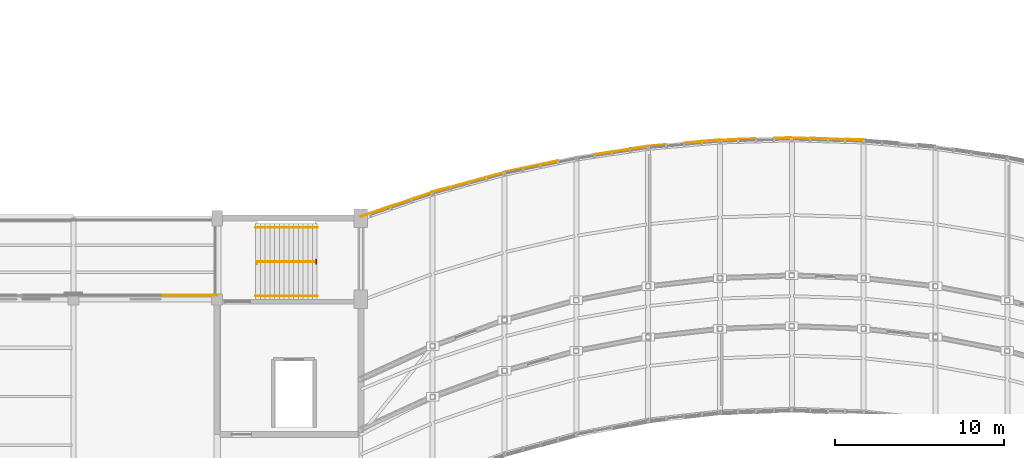
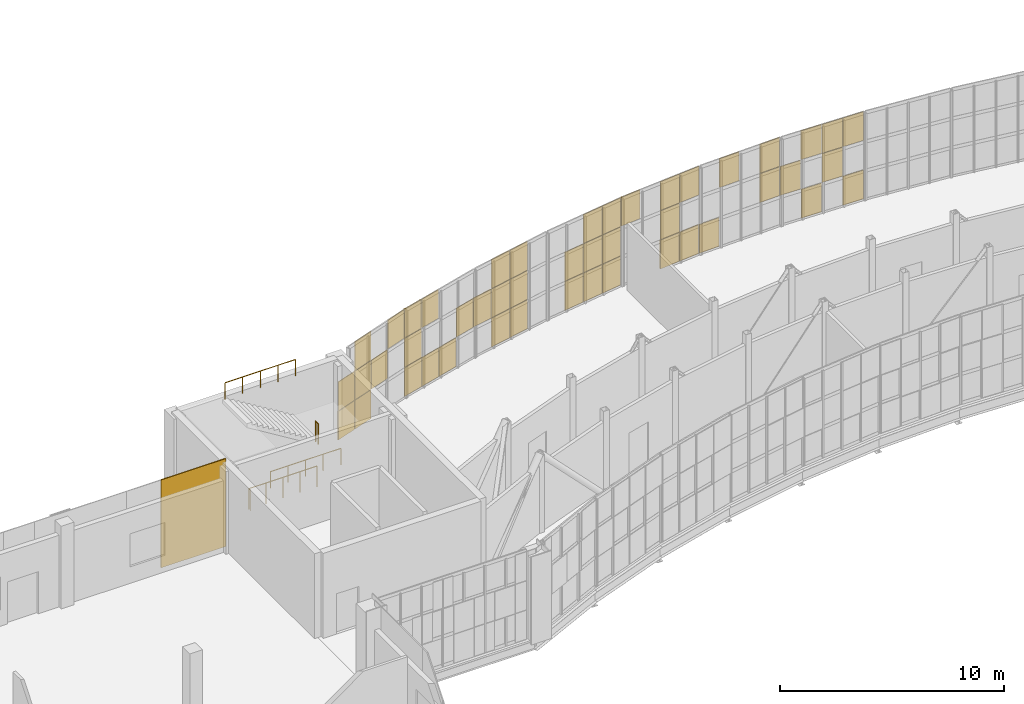
# One storey, part 62 of 66: 47 coverings, 4 railings.
"""IFC4 building model written with IfcOpenShell, lengths in metres."""

from ifc_helpers import new_model, si_unit, direction, frame, origin, origin_2d, place, context, subcontext, project, spatial, rectangle, circle, extrude, material, layer, layer_set, type_object, element, save


model = new_model("IFC4")

# Units and contexts
model_context = context("Model", 3, precision=1e-05, world=origin(), true_north=direction((0.0, 1.0)))
body_context = subcontext(model_context, "Body", "Model", "MODEL_VIEW")
ifc_project = project(units=[si_unit("LENGTHUNIT", "METRE"), si_unit("AREAUNIT", "SQUARE_METRE"), si_unit("VOLUMEUNIT", "CUBIC_METRE"), si_unit("PLANEANGLEUNIT", "RADIAN"), si_unit("MASSUNIT", "GRAM", prefix="KILO")], contexts=[model_context])

# Site, building, storey
site_placement = place(None, origin())
site = spatial("IfcSite", under=ifc_project, at=site_placement, CompositionType="ELEMENT")
building_placement = place(site_placement, origin())
building = spatial("IfcBuilding", under=site, at=building_placement, Name="Solvikara Media Centre", CompositionType="ELEMENT")
storey_placement = place(building_placement, frame((0.0, 0.0, 19.800048828125)))
storey = spatial("IfcBuildingStorey", under=building, at=storey_placement, Name="L04", CompositionType="ELEMENT", Elevation=19.800048828125)

# Coverings
ifc_material_1 = material(Name="GFRC white mineral architectural rainscreen panel")
ifc_layer_1 = layer(ifc_material_1, 0.050048828125)
ifc_layer_set_1 = layer_set([ifc_layer_1], Name="GFRC white mineral architectural rainscreen panel")
covering_type_1 = type_object("IfcCoveringType", Name="CV-04", PredefinedType="CLADDING", material=ifc_layer_set_1)
for number, where, z_axis, x_axis, name in (
    (1, (77.0009765625, 37.072021484375, 0.01513671875), (0.0, 0.0, 1.0), (0.945807995037, 0.324726402566, 0.0), "CW-L04-NARC-00-SF-00"),
    (2, (78.06298828125, 37.43603515625, 0.01513671875), (0.0, 0.0, 1.0), (0.945807995037, 0.324726402566, 0.0), "CW-L04-NARC-00-SF-10"),
    (3, (78.06298828125, 37.43603515625, 1.61474609375), (0.0, 0.0, 1.0), (0.945807995037, 0.324726402566, 0.0), "CW-L04-NARC-00-SF-11"),
):
    element("IfcCovering", number, at=place(storey_placement, frame(where, z_axis=z_axis, x_axis=x_axis)), inside=storey, type_object=covering_type_1, Name=name, PredefinedType="CLADDING", context=body_context, shape_type="SweptSolid", body=[
        extrude(rectangle(XDim=1.093017578125, YDim=0.050048828125, at=origin_2d()), origin(), (0.0, 0.0, 1.0), 1.570068359375),
    ])
covering_1_placement = place(storey_placement, frame((81.256103515625, 38.4970703125, 3.21484375), z_axis=(0.0, 0.0, 1.0), x_axis=(0.964289807992, 0.26484932736, 0.0)))
element("IfcCovering", 4, at=covering_1_placement, inside=storey, type_object=covering_type_1, Name="CW-L04-NARC-01-SF-02", PredefinedType="CLADDING", context=body_context, shape_type="SweptSolid", body=[
    extrude(rectangle(XDim=1.072021484375, YDim=0.050048828125, at=origin_2d()), origin(), (0.0, 0.0, 1.0), 1.570068359375),
])
for number, where, z_axis, x_axis, name in (
    (5, (85.511962890625, 39.635009765625, 1.61474609375), (0.0, 0.0, 1.0), (0.978447760018, 0.206494505776, 0.0), "CW-L04-NARC-02-SF-01"),
    (6, (86.574951171875, 39.860107421875, 0.01513671875), (0.0, 0.0, 1.0), (0.978447760018, 0.206494505776, 0.0), "CW-L04-NARC-02-SF-10"),
    (7, (86.574951171875, 39.860107421875, 1.61474609375), (0.0, 0.0, 1.0), (0.978447760018, 0.206494505776, 0.0), "CW-L04-NARC-02-SF-11"),
    (8, (86.574951171875, 39.860107421875, 3.21484375), (0.0, 0.0, 1.0), (0.978447760018, 0.206494505776, 0.0), "CW-L04-NARC-02-SF-12"),
    (9, (87.636962890625, 40.083984375, 1.61474609375), (0.0, 0.0, 1.0), (0.978447760018, 0.206494505776, 0.0), "CW-L04-NARC-02-SF-21"),
):
    element("IfcCovering", number, at=place(storey_placement, frame(where, z_axis=z_axis, x_axis=x_axis)), inside=storey, type_object=covering_type_1, Name=name, PredefinedType="CLADDING", context=body_context, shape_type="SweptSolid", body=[
        extrude(rectangle(XDim=1.055908203125, YDim=0.050048828125, at=origin_2d()), origin(), (0.0, 0.0, 1.0), 1.570068359375),
    ])
covering_2_placement = place(storey_placement, frame((92.9541015625, 40.97705078125, 1.61474609375), z_axis=(0.0, 0.0, 1.0), x_axis=(0.988930567215, 0.148379018826, 0.0)))
element("IfcCovering", 10, at=covering_2_placement, inside=storey, type_object=covering_type_1, Name="CW-L04-NARC-03-SF-31", PredefinedType="CLADDING", context=body_context, shape_type="SweptSolid", body=[
    extrude(rectangle(XDim=1.044921875, YDim=0.050048828125, at=origin_2d()), origin(), (0.0, 0.0, 1.0), 1.570068359375),
])
for number, where, z_axis, x_axis, name in (
    (11, (94.02294921875, 41.10498046875, 3.21484375), (0.0, 0.0, 1.0), (0.996050368938, 0.088789991203, 0.0), "CW-L04-NARC-04-SF-02"),
    (12, (96.14794921875, 41.29296875, 0.01513671875), (0.0, 0.0, 1.0), (0.996050368938, 0.088789991203, 0.0), "CW-L04-NARC-04-SF-20"),
):
    element("IfcCovering", number, at=place(storey_placement, frame(where, z_axis=z_axis, x_axis=x_axis)), inside=storey, type_object=covering_type_1, Name=name, PredefinedType="CLADDING", context=body_context, shape_type="SweptSolid", body=[
        extrude(rectangle(XDim=1.035888671875, YDim=0.050048828125, at=origin_2d()), origin(), (0.0, 0.0, 1.0), 1.570068359375),
    ])
covering_3_placement = place(storey_placement, frame((97.2099609375, 41.387939453125, 0.01513671875), z_axis=(0.0, 0.0, 1.0), x_axis=(0.996142803437, 0.087746881202, 0.0)))
element("IfcCovering", 13, at=covering_3_placement, inside=storey, type_object=covering_type_1, Name="CW-L04-NARC-04-SF-30", PredefinedType="CLADDING", context=body_context, shape_type="SweptSolid", body=[
    extrude(rectangle(XDim=1.037109375, YDim=0.050048828125, at=origin_2d()), origin(), (0.0, 0.0, 1.0), 1.570068359375),
])
for number, where, z_axis, x_axis, name in (
    (14, (99.341064453125, 41.48291015625, 3.21484375), (0.0, 0.0, 1.0), (0.999548919735, 0.030032599908, 0.0), "CW-L04-NARC-05-SF-12"),
    (15, (101.466064453125, 41.5458984375, 3.21484375), (0.0, 0.0, 1.0), (0.999548919735, 0.030032599908, 0.0), "CW-L04-NARC-05-SF-32"),
):
    element("IfcCovering", number, at=place(storey_placement, frame(where, z_axis=z_axis, x_axis=x_axis)), inside=storey, type_object=covering_type_1, Name=name, PredefinedType="CLADDING", context=body_context, shape_type="SweptSolid", body=[
        extrude(rectangle(XDim=1.031982421875, YDim=0.050048828125, at=origin_2d()), origin(), (0.0, 0.0, 1.0), 1.570068359375),
    ])
for number, where, z_axis, x_axis, name in (
    (16, (103.595947265625, 41.513916015625, 3.21484375), (0.0, 0.0, 1.0), (0.999549967461, -0.02999770905, 0.0), "CW-L04-NARC-06-SF-12"),
    (17, (105.720947265625, 41.450927734375, 0.01513671875), (0.0, 0.0, 1.0), (0.999549967461, -0.02999770905, 0.0), "CW-L04-NARC-06-SF-30"),
):
    element("IfcCovering", number, at=place(storey_placement, frame(where, z_axis=z_axis, x_axis=x_axis)), inside=storey, type_object=covering_type_1, Name=name, PredefinedType="CLADDING", context=body_context, shape_type="SweptSolid", body=[
        extrude(rectangle(XDim=1.032958984375, YDim=0.050048828125, at=origin_2d()), origin(), (0.0, 0.0, 1.0), 1.570068359375),
    ])
covering_4_placement = place(storey_placement, frame((66.324951171875, 32.2451171875, 0.0), z_axis=(0.0, 0.0, 1.0), x_axis=(1.0, 0.0, 0.0)))
element("IfcCovering", 18, at=covering_4_placement, inside=storey, type_object=covering_type_1, Name="L04-V6N-CV-F09", PredefinedType="CLADDING", context=body_context, shape_type="SweptSolid", body=[
    extrude(rectangle(XDim=3.35009765625, YDim=0.050048828125, at=origin_2d()), origin(), (0.0, 0.0, 1.0), 4.800048828125),
])
ifc_material_2 = material(Name="Insulated silver-pearl glass spandrel panel", Category="glass")
ifc_layer_2 = layer(ifc_material_2, 0.034912109375)
ifc_layer_set_2 = layer_set([ifc_layer_2], Name="Insulated silver-pearl glass spandrel panel")
covering_type_2 = type_object("IfcCoveringType", Name="CV-06", PredefinedType="CLADDING", material=ifc_layer_set_2)
covering_5_placement = place(storey_placement, frame((77.00390625, 37.06201171875, 1.61474609375), z_axis=(0.0, 0.0, 1.0), x_axis=(0.945529939496, 0.325535149434, 0.0)))
element("IfcCovering", 19, at=covering_5_placement, inside=storey, type_object=covering_type_2, Name="CW-L04-NARC-00-PX-01", PredefinedType="CLADDING", context=body_context, shape_type="SweptSolid", body=[
    extrude(rectangle(XDim=1.093994140625, YDim=0.034912109375, at=origin_2d()), origin(), (0.0, 0.0, 1.0), 1.570068359375),
])
covering_6_placement = place(storey_placement, frame((78.06689453125, 37.427001953125, 3.21484375), z_axis=(0.0, 0.0, 1.0), x_axis=(0.945626486098, 0.325254590729, 0.0)))
element("IfcCovering", 20, at=covering_6_placement, inside=storey, type_object=covering_type_2, Name="CW-L04-NARC-00-PX-12", PredefinedType="CLADDING", context=body_context, shape_type="SweptSolid", body=[
    extrude(rectangle(XDim=1.094970703125, YDim=0.034912109375, at=origin_2d()), origin(), (0.0, 0.0, 1.0), 1.570068359375),
])
covering_7_placement = place(storey_placement, frame((79.12890625, 37.7919921875, 1.61474609375), z_axis=(0.0, 0.0, 1.0), x_axis=(0.945529939496, 0.325535149434, 0.0)))
element("IfcCovering", 21, at=covering_7_placement, inside=storey, type_object=covering_type_2, Name="CW-L04-NARC-00-PX-21", PredefinedType="CLADDING", context=body_context, shape_type="SweptSolid", body=[
    extrude(rectangle(XDim=1.093994140625, YDim=0.034912109375, at=origin_2d()), origin(), (0.0, 0.0, 1.0), 1.570068359375),
])
covering_8_placement = place(storey_placement, frame((80.19189453125, 38.156982421875, 3.21484375), z_axis=(0.0, 0.0, 1.0), x_axis=(0.945626486098, 0.325254590729, 0.0)))
element("IfcCovering", 22, at=covering_8_placement, inside=storey, type_object=covering_type_2, Name="CW-L04-NARC-00-PX-32", PredefinedType="CLADDING", context=body_context, shape_type="SweptSolid", body=[
    extrude(rectangle(XDim=1.094970703125, YDim=0.034912109375, at=origin_2d()), origin(), (0.0, 0.0, 1.0), 1.570068359375),
])
for number, where, z_axis, x_axis, name in (
    (23, (81.259033203125, 38.487060546875, 0.01513671875), (0.0, 0.0, 1.0), (0.964049041264, 0.265724379832, 0.0), "CW-L04-NARC-01-PX-00"),
    (24, (81.259033203125, 38.487060546875, 1.61474609375), (0.0, 0.0, 1.0), (0.964049041264, 0.265724379832, 0.0), "CW-L04-NARC-01-PX-01"),
):
    element("IfcCovering", number, at=place(storey_placement, frame(where, z_axis=z_axis, x_axis=x_axis)), inside=storey, type_object=covering_type_2, Name=name, PredefinedType="CLADDING", context=body_context, shape_type="SweptSolid", body=[
        extrude(rectangle(XDim=1.072998046875, YDim=0.034912109375, at=origin_2d()), origin(), (0.0, 0.0, 1.0), 1.570068359375),
    ])
for number, where, z_axis, x_axis, name in (
    (25, (82.322021484375, 38.780029296875, 0.01513671875), (0.0, 0.0, 1.0), (0.964225064307, 0.2650849399, 0.0), "CW-L04-NARC-01-PX-10"),
    (26, (82.322021484375, 38.780029296875, 3.21484375), (0.0, 0.0, 1.0), (0.964225064307, 0.2650849399, 0.0), "CW-L04-NARC-01-PX-12"),
):
    element("IfcCovering", number, at=place(storey_placement, frame(where, z_axis=z_axis, x_axis=x_axis)), inside=storey, type_object=covering_type_2, Name=name, PredefinedType="CLADDING", context=body_context, shape_type="SweptSolid", body=[
        extrude(rectangle(XDim=1.071044921875, YDim=0.034912109375, at=origin_2d()), origin(), (0.0, 0.0, 1.0), 1.570068359375),
    ])
covering_9_placement = place(storey_placement, frame((83.384033203125, 39.072998046875, 0.01513671875), z_axis=(0.0, 0.0, 1.0), x_axis=(0.964049041264, 0.265724379832, 0.0)))
element("IfcCovering", 27, at=covering_9_placement, inside=storey, type_object=covering_type_2, Name="CW-L04-NARC-01-PX-20", PredefinedType="CLADDING", context=body_context, shape_type="SweptSolid", body=[
    extrude(rectangle(XDim=1.072998046875, YDim=0.034912109375, at=origin_2d()), origin(), (0.0, 0.0, 1.0), 1.570068359375),
])
covering_10_placement = place(storey_placement, frame((84.447021484375, 39.364990234375, 1.61474609375), z_axis=(0.0, 0.0, 1.0), x_axis=(0.963984083771, 0.265959933516, 0.0)))
element("IfcCovering", 28, at=covering_10_placement, inside=storey, type_object=covering_type_2, Name="CW-L04-NARC-01-PX-31", PredefinedType="CLADDING", context=body_context, shape_type="SweptSolid", body=[
    extrude(rectangle(XDim=1.072021484375, YDim=0.034912109375, at=origin_2d()), origin(), (0.0, 0.0, 1.0), 1.570068359375),
])
for number, where, z_axis, x_axis, name in (
    (29, (87.637939453125, 40.074951171875, 0.01513671875), (0.0, 0.0, 1.0), (0.978256328953, 0.207399505455, 0.0), "CW-L04-NARC-02-PX-20"),
    (30, (87.637939453125, 40.074951171875, 3.21484375), (0.0, 0.0, 1.0), (0.978256328953, 0.207399505455, 0.0), "CW-L04-NARC-02-PX-22"),
):
    element("IfcCovering", number, at=place(storey_placement, frame(where, z_axis=z_axis, x_axis=x_axis)), inside=storey, type_object=covering_type_2, Name=name, PredefinedType="CLADDING", context=body_context, shape_type="SweptSolid", body=[
        extrude(rectangle(XDim=1.055908203125, YDim=0.034912109375, at=origin_2d()), origin(), (0.0, 0.0, 1.0), 1.570068359375),
    ])
for number, where, z_axis, x_axis, name in (
    (31, (90.83203125, 40.64990234375, 0.01513671875), (0.0, 0.0, 1.0), (0.989069971909, 0.147446907963, 0.0), "CW-L04-NARC-03-PX-10"),
    (32, (90.83203125, 40.64990234375, 1.61474609375), (0.0, 0.0, 1.0), (0.989069971909, 0.147446907963, 0.0), "CW-L04-NARC-03-PX-11"),
    (33, (91.89306640625, 40.80908203125, 0.01513671875), (0.0, 0.0, 1.0), (0.989069971909, 0.147446907963, 0.0), "CW-L04-NARC-03-PX-20"),
    (34, (91.89306640625, 40.80908203125, 1.61474609375), (0.0, 0.0, 1.0), (0.989069971909, 0.147446907963, 0.0), "CW-L04-NARC-03-PX-21"),
    (35, (91.89306640625, 40.80908203125, 3.21484375), (0.0, 0.0, 1.0), (0.989069971909, 0.147446907963, 0.0), "CW-L04-NARC-03-PX-22"),
    (36, (92.95703125, 40.968017578125, 0.01513671875), (0.0, 0.0, 1.0), (0.989069971909, 0.147446907963, 0.0), "CW-L04-NARC-03-PX-30"),
    (37, (92.95703125, 40.968017578125, 3.21484375), (0.0, 0.0, 1.0), (0.989069971909, 0.147446907963, 0.0), "CW-L04-NARC-03-PX-32"),
):
    element("IfcCovering", number, at=place(storey_placement, frame(where, z_axis=z_axis, x_axis=x_axis)), inside=storey, type_object=covering_type_2, Name=name, PredefinedType="CLADDING", context=body_context, shape_type="SweptSolid", body=[
        extrude(rectangle(XDim=1.0439453125, YDim=0.034912109375, at=origin_2d()), origin(), (0.0, 0.0, 1.0), 1.570068359375),
    ])
for number, where, z_axis, x_axis, name in (
    (38, (96.14892578125, 41.282958984375, 1.61474609375), (0.0, 0.0, 1.0), (0.996050368938, 0.088789991203, 0.0), "CW-L04-NARC-04-PX-21"),
    (39, (96.14892578125, 41.282958984375, 3.21484375), (0.0, 0.0, 1.0), (0.996050368938, 0.088789991203, 0.0), "CW-L04-NARC-04-PX-22"),
):
    element("IfcCovering", number, at=place(storey_placement, frame(where, z_axis=z_axis, x_axis=x_axis)), inside=storey, type_object=covering_type_2, Name=name, PredefinedType="CLADDING", context=body_context, shape_type="SweptSolid", body=[
        extrude(rectangle(XDim=1.035888671875, YDim=0.034912109375, at=origin_2d()), origin(), (0.0, 0.0, 1.0), 1.570068359375),
    ])
covering_11_placement = place(storey_placement, frame((97.2119140625, 41.376953125, 3.21484375), z_axis=(0.0, 0.0, 1.0), x_axis=(0.996142803437, 0.087746881202, 0.0)))
element("IfcCovering", 40, at=covering_11_placement, inside=storey, type_object=covering_type_2, Name="CW-L04-NARC-04-PX-32", PredefinedType="CLADDING", context=body_context, shape_type="SweptSolid", body=[
    extrude(rectangle(XDim=1.037109375, YDim=0.034912109375, at=origin_2d()), origin(), (0.0, 0.0, 1.0), 1.570068359375),
])
covering_12_placement = place(storey_placement, frame((98.279052734375, 41.44091796875, 0.01513671875), z_axis=(0.0, 0.0, 1.0), x_axis=(0.999548919735, 0.030032599908, 0.0)))
element("IfcCovering", 41, at=covering_12_placement, inside=storey, type_object=covering_type_2, Name="CW-L04-NARC-05-PX-00", PredefinedType="CLADDING", context=body_context, shape_type="SweptSolid", body=[
    extrude(rectangle(XDim=1.031982421875, YDim=0.034912109375, at=origin_2d()), origin(), (0.0, 0.0, 1.0), 1.570068359375),
])
for number, where, z_axis, x_axis, name in (
    (42, (101.466064453125, 41.534912109375, 1.61474609375), (0.0, 0.0, 1.0), (0.999549967461, 0.02999770905, 0.0), "CW-L04-NARC-05-PX-31"),
    (43, (102.533935546875, 41.534912109375, 1.61474609375), (0.0, 0.0, 1.0), (0.999549967461, -0.02999770905, 0.0), "CW-L04-NARC-06-PX-01"),
):
    element("IfcCovering", number, at=place(storey_placement, frame(where, z_axis=z_axis, x_axis=x_axis)), inside=storey, type_object=covering_type_2, Name=name, PredefinedType="CLADDING", context=body_context, shape_type="SweptSolid", body=[
        extrude(rectangle(XDim=1.032958984375, YDim=0.034912109375, at=origin_2d()), origin(), (0.0, 0.0, 1.0), 1.570068359375),
    ])
covering_13_placement = place(storey_placement, frame((103.595947265625, 41.50390625, 0.01513671875), z_axis=(0.0, 0.0, 1.0), x_axis=(0.999548919735, -0.030032599908, 0.0)))
element("IfcCovering", 44, at=covering_13_placement, inside=storey, type_object=covering_type_2, Name="CW-L04-NARC-06-PX-10", PredefinedType="CLADDING", context=body_context, shape_type="SweptSolid", body=[
    extrude(rectangle(XDim=1.031982421875, YDim=0.034912109375, at=origin_2d()), origin(), (0.0, 0.0, 1.0), 1.570068359375),
])
for number, where, z_axis, x_axis, name in (
    (45, (104.658935546875, 41.471923828125, 1.61474609375), (0.0, 0.0, 1.0), (0.999549967461, -0.02999770905, 0.0), "CW-L04-NARC-06-PX-21"),
    (46, (104.658935546875, 41.471923828125, 3.21484375), (0.0, 0.0, 1.0), (0.999549967461, -0.02999770905, 0.0), "CW-L04-NARC-06-PX-22"),
):
    element("IfcCovering", number, at=place(storey_placement, frame(where, z_axis=z_axis, x_axis=x_axis)), inside=storey, type_object=covering_type_2, Name=name, PredefinedType="CLADDING", context=body_context, shape_type="SweptSolid", body=[
        extrude(rectangle(XDim=1.032958984375, YDim=0.034912109375, at=origin_2d()), origin(), (0.0, 0.0, 1.0), 1.570068359375),
    ])
covering_14_placement = place(storey_placement, frame((105.720947265625, 41.44091796875, 3.21484375), z_axis=(0.0, 0.0, 1.0), x_axis=(0.999548919735, -0.030032599908, 0.0)))
element("IfcCovering", 47, at=covering_14_placement, inside=storey, type_object=covering_type_2, Name="CW-L04-NARC-06-PX-32", PredefinedType="CLADDING", context=body_context, shape_type="SweptSolid", body=[
    extrude(rectangle(XDim=1.031982421875, YDim=0.034912109375, at=origin_2d()), origin(), (0.0, 0.0, 1.0), 1.570068359375),
])

# Railings
ifc_material_3 = material(Name="Steel S355JR", Category="steel")
railing_type_1 = type_object("IfcRailingType", Name="GR-01", PredefinedType="GUARDRAIL", material=ifc_material_3)
railing_1_placement = place(storey_placement, frame((70.340087890625, 34.10009765625, 0.0)))
element("IfcRailing", 48, at=railing_1_placement, inside=storey, type_object=railing_type_1, Name="GR-C3-L03-W", PredefinedType="GUARDRAIL", context=body_context, shape_type="SweptSolid", body=[
    extrude(circle(Radius=0.02392578125, at=origin_2d()), frame((0.0, 0.0, 1.1259765625), z_axis=(0.0, 1.0, 0.0), x_axis=(-1.0, 0.0, 0.0)), (0.0, 0.0, 1.0), 0.119873046875),
    extrude(circle(Radius=0.02392578125, at=origin_2d()), frame((0.0, 0.119873046875, 1.1259765625), z_axis=(1.0, 0.0, 0.0), x_axis=(0.0, 1.0, 0.0)), (0.0, 0.0, 1.0), 3.52001953125),
    extrude(circle(Radius=0.02099609375, at=origin_2d()), origin(), (0.0, 0.0, 1.0), 1.101806640625),
    extrude(circle(Radius=0.02099609375, at=origin_2d()), frame((0.0, 0.119873046875, 0.0)), (0.0, 0.0, 1.0), 1.101806640625),
    extrude(circle(Radius=0.02099609375, at=origin_2d()), frame((0.8798828125, 0.119873046875, 0.0)), (0.0, 0.0, 1.0), 1.101806640625),
    extrude(circle(Radius=0.02099609375, at=origin_2d()), frame((1.760009765625, 0.119873046875, 0.0)), (0.0, 0.0, 1.0), 1.101806640625),
    extrude(circle(Radius=0.02099609375, at=origin_2d()), frame((2.64013671875, 0.119873046875, 0.0)), (0.0, 0.0, 1.0), 1.101806640625),
    extrude(circle(Radius=0.02099609375, at=origin_2d()), frame((3.52001953125, 0.119873046875, 0.0)), (0.0, 0.0, 1.0), 1.101806640625),
])
railing_type_2 = type_object("IfcRailingType", Name="GR-02", PredefinedType="BALUSTRADE", material=ifc_material_3)
railing_2_placement = place(storey_placement, frame((73.860107421875, 34.10009765625, 2.39990234375)))
element("IfcRailing", 49, at=railing_2_placement, inside=storey, type_object=railing_type_2, Name="GR-C3-L04-M", PredefinedType="BALUSTRADE", context=body_context, shape_type="SweptSolid", body=[
    extrude(circle(Radius=0.02392578125, at=origin_2d()), frame((0.0, 0.0, 1.09619140625), z_axis=(0.0, 1.0, 0.0), x_axis=(-1.0, 0.0, 0.0)), (0.0, 0.0, 1.0), 0.25),
    extrude(circle(Radius=0.02099609375, at=origin_2d()), origin(), (0.0, 0.0, 1.0), 1.072021484375),
    extrude(circle(Radius=0.02099609375, at=origin_2d()), frame((0.0, 0.25, 0.0)), (0.0, 0.0, 1.0), 1.072021484375),
])
railing_type_3 = type_object("IfcRailingType", Name="HR-01", PredefinedType="HANDRAIL", material=ifc_material_3)
railing_3_placement = place(storey_placement, frame((70.280029296875, 32.199951171875, 2.39990234375)))
element("IfcRailing", 50, at=railing_3_placement, inside=storey, type_object=railing_type_3, Name="HR-C3-L04-1", PredefinedType="HANDRAIL", context=body_context, shape_type="SweptSolid", body=[
    extrude(circle(Radius=0.02392578125, at=origin_2d()), frame((0.0, 0.0, 0.89599609375), z_axis=(1.0, 0.0, 0.0), x_axis=(0.0, 1.0, 0.0)), (0.0, 0.0, 1.0), 3.639892578125),
    extrude(circle(Radius=0.02099609375, at=origin_2d()), origin(), (0.0, 0.0, 1.0), 0.871826171875),
    extrude(circle(Radius=0.02099609375, at=origin_2d()), frame((0.909912109375, 0.0, 0.0)), (0.0, 0.0, 1.0), 0.871826171875),
    extrude(circle(Radius=0.02099609375, at=origin_2d()), frame((1.81982421875, 0.0, 0.0)), (0.0, 0.0, 1.0), 0.871826171875),
    extrude(circle(Radius=0.02099609375, at=origin_2d()), frame((2.72998046875, 0.0, 0.0)), (0.0, 0.0, 1.0), 0.871826171875),
    extrude(circle(Radius=0.02099609375, at=origin_2d()), frame((3.639892578125, 0.0, 0.0)), (0.0, 0.0, 1.0), 0.871826171875),
])
railing_4_placement = place(storey_placement, frame((73.919921875, 36.25, 4.800048828125)))
element("IfcRailing", 51, at=railing_4_placement, inside=storey, type_object=railing_type_3, Name="HR-C3-L04-2", PredefinedType="HANDRAIL", context=body_context, shape_type="SweptSolid", body=[
    extrude(circle(Radius=0.02392578125, at=origin_2d()), frame((0.0, 0.0, 0.89599609375), z_axis=(-1.0, 0.0, 0.0), x_axis=(0.0, -1.0, 0.0)), (0.0, 0.0, 1.0), 3.639892578125),
    extrude(circle(Radius=0.02099609375, at=origin_2d()), origin(), (0.0, 0.0, 1.0), 0.871826171875),
    extrude(circle(Radius=0.02099609375, at=origin_2d()), frame((-0.909912109375, 0.0, 0.0)), (0.0, 0.0, 1.0), 0.871826171875),
    extrude(circle(Radius=0.02099609375, at=origin_2d()), frame((-1.81982421875, 0.0, 0.0)), (0.0, 0.0, 1.0), 0.871826171875),
    extrude(circle(Radius=0.02099609375, at=origin_2d()), frame((-2.72998046875, 0.0, 0.0)), (0.0, 0.0, 1.0), 0.871826171875),
    extrude(circle(Radius=0.02099609375, at=origin_2d()), frame((-3.639892578125, 0.0, 0.0)), (0.0, 0.0, 1.0), 0.871826171875),
])

save(model, "model.ifc")
